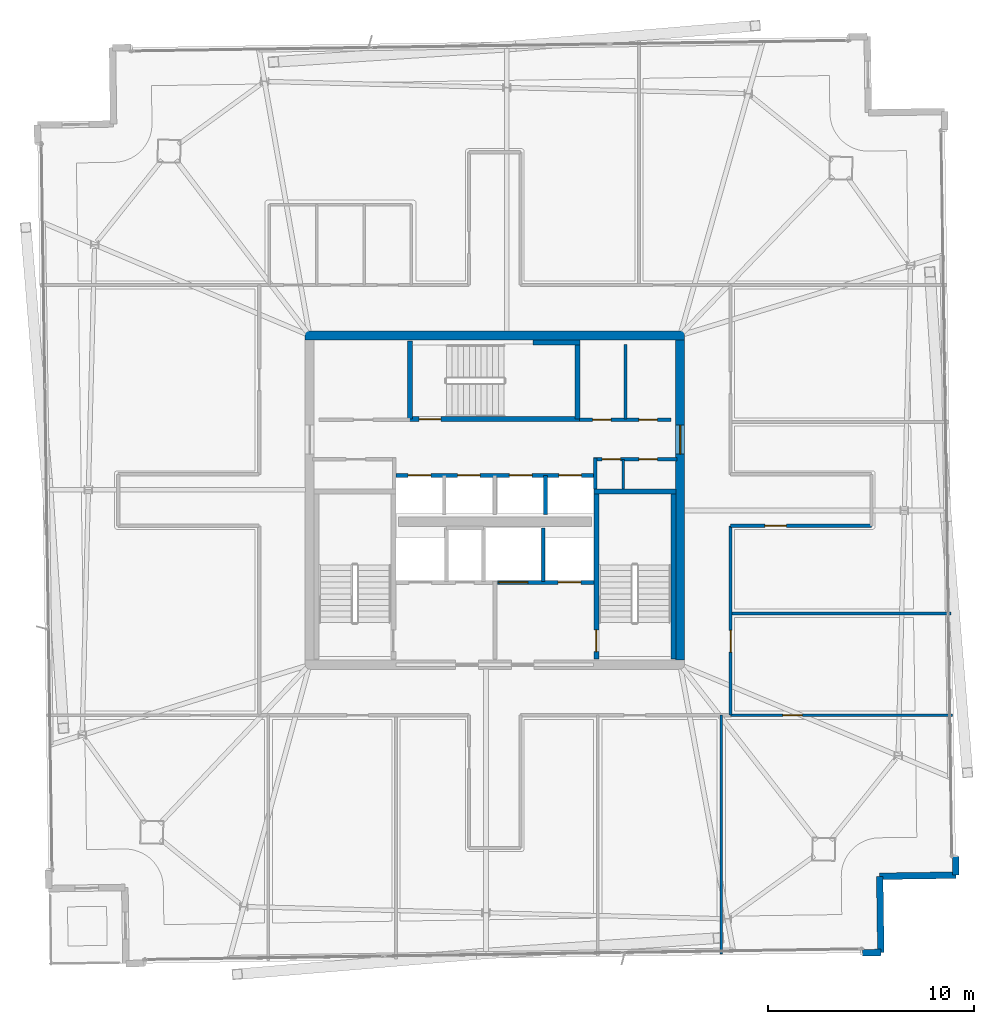
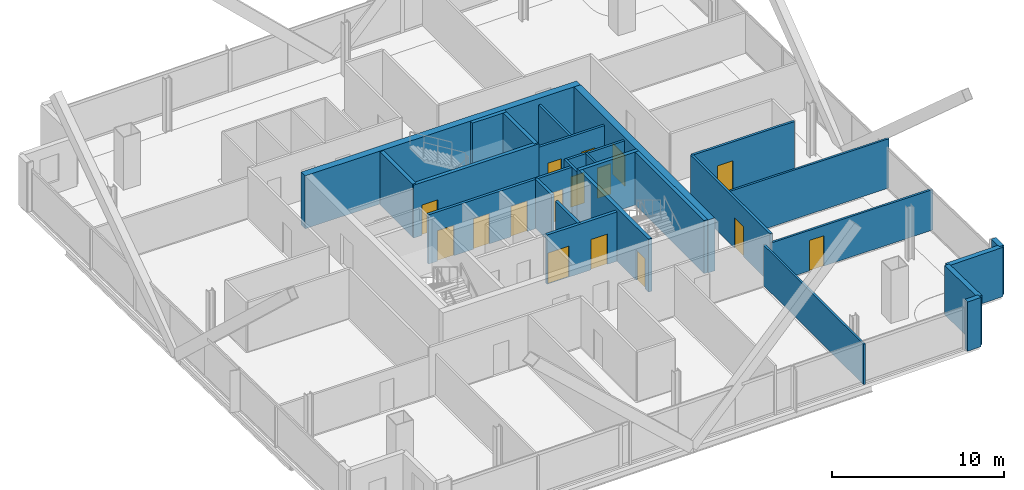
# One storey, part 21 of 25: 27 walls, 16 doors, 16 openings.
"""IFC4 building model written with IfcOpenShell, lengths in metres."""

from ifc_helpers import new_model, si_unit, direction, frame, frame_2d, origin, place, context, subcontext, project, spatial, rectangle, extrude, material, layer, layer_set, type_object, element, fill, save


model = new_model("IFC4")

# Units and contexts
model_context = context("Model", 3, precision=1e-05, world=origin(), true_north=direction((0.0, 1.0)))
body_context = subcontext(model_context, "Body", "Model", "MODEL_VIEW")
ifc_project = project(units=[si_unit("LENGTHUNIT", "METRE"), si_unit("AREAUNIT", "SQUARE_METRE"), si_unit("VOLUMEUNIT", "CUBIC_METRE"), si_unit("PLANEANGLEUNIT", "RADIAN"), si_unit("MASSUNIT", "GRAM", prefix="KILO")], contexts=[model_context])

# Site, building, storey
site_placement = place(None, origin())
site = spatial("IfcSite", under=ifc_project, at=site_placement, CompositionType="ELEMENT")
building_placement = place(site_placement, origin())
building = spatial("IfcBuilding", under=site, at=building_placement, Name="Haldenkirk Collegiate Tower", CompositionType="ELEMENT")
storey_placement = place(building_placement, frame((0.0, 0.0, 332.699951171875)))
storey = spatial("IfcBuildingStorey", under=building, at=storey_placement, Name="L84", CompositionType="ELEMENT", Elevation=332.699951171875)

# Wall
ifc_material_1 = material(Name="Concrete f'c 55 MPa", Category="concrete")
ifc_layer_1 = layer(ifc_material_1, 0.449951171875)
ifc_layer_set_1 = layer_set([ifc_layer_1], Name="Concrete f'c 55 MPa")
wall_type_1 = type_object("IfcWallType", Name="WL-CORE-450", PredefinedType="SHEAR", material=ifc_layer_set_1)
wall_1_placement = place(storey_placement, frame((26.77490234375, 34.0, 0.0), z_axis=(0.0, 0.0, 1.0), x_axis=(1.0, 0.0, 0.0)))
element("IfcWall", 1, at=wall_1_placement, inside=storey, type_object=wall_type_1, Name="L84 central core shear wall N", PredefinedType="SHEAR", context=body_context, shape_type="SweptSolid", body=[
    extrude(rectangle(XDim=18.4501953125, YDim=0.449951171875, at=frame_2d((9.22509765625, 0.0))), origin(), (0.0, 0.0, 1.0), 3.75),
])

# Wall, opening, door
wall_2_placement = place(storey_placement, frame((45.0, 18.22509765625, 0.0), z_axis=(0.0, 0.0, 1.0), x_axis=(0.0, 1.0, 0.0)))
wall_2 = element("IfcWall", 2, at=wall_2_placement, inside=storey, type_object=wall_type_1, Name="L84 central core shear wall E", PredefinedType="SHEAR", context=body_context, shape_type="SweptSolid", body=[
    extrude(rectangle(XDim=15.5498046875, YDim=0.449951171875, at=frame_2d((7.77490234375, 0.0))), origin(), (0.0, 0.0, 1.0), 3.75),
])
opening_1_placement = place(wall_2_placement, frame((10.014892578125, 0.0, 0.0)))
opening_1 = element("IfcOpeningElement", 3, at=opening_1_placement, cuts=wall_2, Name="Opening D-03", PredefinedType="OPENING", context=body_context, shape_type="SweptSolid", body=[
    extrude(rectangle(XDim=1.39990234375, YDim=2.199951171875, at=frame_2d((0.699951171875, 1.10009765625))), frame((0.0, 0.23486328125, 0.0), z_axis=(0.0, -1.0, 0.0), x_axis=(1.0, 0.0, 0.0)), (0.0, 0.0, 1.0), 0.469970703125),
])
ifc_material_2 = material(Name="Galvanized fire-rated hollow steel door", Category="steel")
ifc_layer_2 = layer(ifc_material_2, 0.06005859375)
ifc_layer_set_2 = layer_set([ifc_layer_2], Name="Galvanized fire-rated hollow steel door")
door_type_1 = type_object("IfcDoorType", Name="DR-LOBBY-FD90-1400", OperationType="NOTDEFINED", PredefinedType="DOOR", material=ifc_layer_set_2)
door_1_placement = place(opening_1_placement, origin())
door_1 = element("IfcDoor", 4, at=door_1_placement, inside=storey, type_object=door_type_1, Name="L84 east lift lobby portal", OperationType="DOUBLE_DOOR_SINGLE_SWING", OverallHeight=2.199951171875, OverallWidth=1.39990234375, PredefinedType="DOOR", context=body_context, shape_type="SweptSolid", body=[
    extrude(rectangle(XDim=1.39990234375, YDim=2.199951171875, at=frame_2d((0.699951171875, 1.10009765625))), frame((0.0, 0.02490234375, 0.0), z_axis=(0.0, -1.0, 0.0), x_axis=(1.0, 0.0, 0.0)), (0.0, 0.0, 1.0), 0.050048828125),
])
fill(opening_1, door_1)

# Walls
ifc_material_3 = material(Name="Precast concrete f'c 40 MPa", Category="concrete")
ifc_layer_3 = layer(ifc_material_3, 0.320068359375)
ifc_layer_set_3 = layer_set([ifc_layer_3], Name="Precast concrete f'c 40 MPa")
wall_type_2 = type_object("IfcWallType", Name="WL-EXT-TWR-320", PredefinedType="STANDARD", material=ifc_layer_set_3)
for number, where, z_axis, x_axis, name in (
    (5, (58.384521484375, 8.68017578125, 0.0), (0.0, 0.0, 1.0), (0.014648455264, -0.999892705623, 0.0), "L84 precast corner pier SR"),
    (6, (54.7529296875, 4.02587890625, 0.0), (0.0, 0.0, 1.0), (-0.999888695632, -0.01491966312, 0.0), "L84 precast corner pier WL"),
):
    element("IfcWall", number, at=place(storey_placement, frame(where, z_axis=z_axis, x_axis=x_axis)), inside=storey, type_object=wall_type_2, Name=name, PredefinedType="STANDARD", context=body_context, shape_type="SweptSolid", body=[
        extrude(rectangle(XDim=0.89990234375, YDim=0.320068359375, at=frame_2d((0.449951171875, 0.0))), origin(), (0.0, 0.0, 1.0), 3.489990234375),
    ])
for number, where, z_axis, x_axis, name in (
    (7, (54.6982421875, 7.725341796875, 0.0), (0.0, 0.0, 1.0), (0.014780936405, -0.999890755992, 0.0), "L84 bronze precast notch wall 11"),
    (8, (58.397705078125, 7.7802734375, 0.0), (0.0, 0.0, 1.0), (-0.999889778584, -0.014846908215, 0.0), "L84 bronze precast notch wall 12"),
):
    element("IfcWall", number, at=place(storey_placement, frame(where, z_axis=z_axis, x_axis=x_axis)), inside=storey, type_object=wall_type_2, Name=name, PredefinedType="STANDARD", context=body_context, shape_type="SweptSolid", body=[
        extrude(rectangle(XDim=3.699951171875, YDim=0.320068359375, at=frame_2d((1.85009765625, 0.0))), origin(), (0.0, 0.0, 1.0), 3.489990234375),
    ])

# Wall, openings, doors
ifc_material_4 = material(Name="Acoustic fire-rated gypsum partition", Category="concrete")
ifc_layer_4 = layer(ifc_material_4, 0.159912109375)
ifc_layer_set_4 = layer_set([ifc_layer_4], Name="Acoustic fire-rated gypsum partition")
wall_type_3 = type_object("IfcWallType", Name="WL-INT-CORR-160", PredefinedType="PARTITIONING", material=ifc_layer_set_4)
wall_3_placement = place(storey_placement, frame((40.800048828125, 27.97998046875, 0.0), z_axis=(0.0, 0.0, 1.0), x_axis=(1.0, 0.0, 0.0)))
wall_3 = element("IfcWall", 9, at=wall_3_placement, inside=storey, type_object=wall_type_3, Name="L84 interior partition IW-L84-VCSE-N", PredefinedType="PARTITIONING", context=body_context, shape_type="SweptSolid", body=[
    extrude(rectangle(XDim=4.050048828125, YDim=0.159912109375, at=frame_2d((2.02490234375, 0.0))), origin(), (0.0, 0.0, 1.0), 3.489990234375),
])
opening_2_placement = place(wall_3_placement, frame((0.407470703125, 0.0, 0.0)))
opening_2 = element("IfcOpeningElement", 10, at=opening_2_placement, cuts=wall_3, Name="Opening D-11", PredefinedType="OPENING", context=body_context, shape_type="SweptSolid", body=[
    extrude(rectangle(XDim=0.89990234375, YDim=2.14990234375, at=frame_2d((0.449951171875, 1.074951171875))), frame((0.0, 0.08984375, 0.0), z_axis=(0.0, -1.0, 0.0), x_axis=(1.0, 0.0, 0.0)), (0.0, 0.0, 1.0), 0.179931640625),
])
opening_3_placement = place(wall_3_placement, frame((2.199951171875, 0.0, 0.0)))
opening_3 = element("IfcOpeningElement", 11, at=opening_3_placement, cuts=wall_3, Name="Opening D-11", PredefinedType="OPENING", context=body_context, shape_type="SweptSolid", body=[
    extrude(rectangle(XDim=0.89990234375, YDim=2.14990234375, at=frame_2d((0.449951171875, 1.074951171875))), frame((0.0, 0.08984375, 0.0), z_axis=(0.0, -1.0, 0.0), x_axis=(1.0, 0.0, 0.0)), (0.0, 0.0, 1.0), 0.179931640625),
])
ifc_material_5 = material(Name="Solid-core architectural oak fire door", Category="wood")
ifc_layer_5 = layer(ifc_material_5, 0.06005859375)
ifc_layer_set_5 = layer_set([ifc_layer_5], Name="Solid-core architectural oak fire door")
door_type_2 = type_object("IfcDoorType", Name="DR-INT-FD60-900", OperationType="NOTDEFINED", PredefinedType="DOOR", material=ifc_layer_set_5)
door_2_placement = place(opening_2_placement, origin())
door_2 = element("IfcDoor", 12, at=door_2_placement, inside=storey, type_object=door_type_2, Name="L84 core copy room door", OperationType="SINGLE_SWING_LEFT", OverallHeight=2.14990234375, OverallWidth=0.89990234375, PredefinedType="DOOR", context=body_context, shape_type="SweptSolid", body=[
    extrude(rectangle(XDim=0.89990234375, YDim=2.14990234375, at=frame_2d((0.449951171875, 1.074951171875))), frame((0.0, 0.02490234375, 0.0), z_axis=(0.0, -1.0, 0.0), x_axis=(1.0, 0.0, 0.0)), (0.0, 0.0, 1.0), 0.050048828125),
])
fill(opening_2, door_2)
door_3_placement = place(opening_3_placement, origin())
door_3 = element("IfcDoor", 13, at=door_3_placement, inside=storey, type_object=door_type_2, Name="L84 core records store door", OperationType="SINGLE_SWING_RIGHT", OverallHeight=2.14990234375, OverallWidth=0.89990234375, PredefinedType="DOOR", context=body_context, shape_type="SweptSolid", body=[
    extrude(rectangle(XDim=0.89990234375, YDim=2.14990234375, at=frame_2d((0.449951171875, 1.074951171875))), frame((0.0, 0.02490234375, 0.0), z_axis=(0.0, -1.0, 0.0), x_axis=(1.0, 0.0, 0.0)), (0.0, 0.0, 1.0), 0.050048828125),
])
fill(opening_3, door_3)

# Wall
wall_4_placement = place(storey_placement, frame((40.8798828125, 26.5400390625, 0.0), z_axis=(0.0, 0.0, 1.0), x_axis=(0.0, 1.0, 0.0)))
element("IfcWall", 14, at=wall_4_placement, inside=storey, type_object=wall_type_3, Name="L84 interior partition IW-L84-VCSE-W", PredefinedType="PARTITIONING", context=body_context, shape_type="SweptSolid", body=[
    extrude(rectangle(XDim=1.510009765625, YDim=0.159912109375, at=frame_2d((0.7548828125, 0.0))), origin(), (0.0, 0.0, 1.0), 3.489990234375),
])

# Wall, openings, doors
wall_5_placement = place(storey_placement, frame((40.1201171875, 29.89990234375, 0.0), z_axis=(0.0, 0.0, 1.0), x_axis=(1.0, 0.0, 0.0)))
wall_5 = element("IfcWall", 15, at=wall_5_placement, inside=storey, type_object=wall_type_3, Name="L84 interior partition IW-L84-PMS", PredefinedType="PARTITIONING", context=body_context, shape_type="SweptSolid", body=[
    extrude(rectangle(XDim=4.429931640625, YDim=0.159912109375, at=frame_2d((2.21484375, 0.0))), origin(), (0.0, 0.0, 1.0), 3.489990234375),
])
opening_4_placement = place(wall_5_placement, frame((0.6298828125, 0.0, 0.0)))
opening_4 = element("IfcOpeningElement", 16, at=opening_4_placement, cuts=wall_5, Name="Opening D-11", PredefinedType="OPENING", context=body_context, shape_type="SweptSolid", body=[
    extrude(rectangle(XDim=0.89990234375, YDim=2.14990234375, at=frame_2d((0.449951171875, 1.074951171875))), frame((0.0, 0.08984375, 0.0), z_axis=(0.0, -1.0, 0.0), x_axis=(1.0, 0.0, 0.0)), (0.0, 0.0, 1.0), 0.179931640625),
])
opening_5_placement = place(wall_5_placement, frame((2.8798828125, 0.0, 0.0)))
opening_5 = element("IfcOpeningElement", 17, at=opening_5_placement, cuts=wall_5, Name="Opening D-11", PredefinedType="OPENING", context=body_context, shape_type="SweptSolid", body=[
    extrude(rectangle(XDim=0.89990234375, YDim=2.14990234375, at=frame_2d((0.449951171875, 1.074951171875))), frame((0.0, 0.08984375, 0.0), z_axis=(0.0, -1.0, 0.0), x_axis=(1.0, 0.0, 0.0)), (0.0, 0.0, 1.0), 0.179931640625),
])
door_4_placement = place(opening_4_placement, origin())
door_4 = element("IfcDoor", 18, at=door_4_placement, inside=storey, type_object=door_type_2, Name="L84 staff WC door", OperationType="SINGLE_SWING_RIGHT", OverallHeight=2.14990234375, OverallWidth=0.89990234375, PredefinedType="DOOR", context=body_context, shape_type="SweptSolid", body=[
    extrude(rectangle(XDim=0.89990234375, YDim=2.14990234375, at=frame_2d((0.449951171875, 1.074951171875))), frame((0.0, 0.02490234375, 0.0), z_axis=(0.0, -1.0, 0.0), x_axis=(1.0, 0.0, 0.0)), (0.0, 0.0, 1.0), 0.050048828125),
])
fill(opening_4, door_4)
door_5_placement = place(opening_5_placement, origin())
door_5 = element("IfcDoor", 19, at=door_5_placement, inside=storey, type_object=door_type_2, Name="L84 seminar alcove door", OperationType="SINGLE_SWING_LEFT", OverallHeight=2.14990234375, OverallWidth=0.89990234375, PredefinedType="DOOR", context=body_context, shape_type="SweptSolid", body=[
    extrude(rectangle(XDim=0.89990234375, YDim=2.14990234375, at=frame_2d((0.449951171875, 1.074951171875))), frame((0.0, 0.02490234375, 0.0), z_axis=(0.0, -1.0, 0.0), x_axis=(1.0, 0.0, 0.0)), (0.0, 0.0, 1.0), 0.050048828125),
])
fill(opening_5, door_5)

# Wall, opening, door
wall_6_placement = place(storey_placement, frame((47.449951171875, 15.550048828125, 0.0), z_axis=(0.0, 0.0, 1.0), x_axis=(0.0, 1.0, 0.0)))
wall_6 = element("IfcWall", 20, at=wall_6_placement, inside=storey, type_object=wall_type_3, Name="L84 interior partition IW-L84-CE1", PredefinedType="PARTITIONING", context=body_context, shape_type="SweptSolid", body=[
    extrude(rectangle(XDim=9.199951171875, YDim=0.159912109375, at=frame_2d((4.60009765625, 0.0))), origin(), (0.0, 0.0, 1.0), 3.489990234375),
])
opening_6_placement = place(wall_6_placement, frame((3.06689453125, 0.0, 0.0)))
opening_6 = element("IfcOpeningElement", 21, at=opening_6_placement, cuts=wall_6, Name="Opening D-09", PredefinedType="OPENING", context=body_context, shape_type="SweptSolid", body=[
    extrude(rectangle(XDim=1.050048828125, YDim=2.14990234375, at=frame_2d((0.52490234375, 1.074951171875))), frame((0.0, 0.08984375, 0.0), z_axis=(0.0, -1.0, 0.0), x_axis=(1.0, 0.0, 0.0)), (0.0, 0.0, 1.0), 0.179931640625),
])
ifc_layer_6 = layer(ifc_material_5, 0.06005859375)
ifc_layer_set_6 = layer_set([ifc_layer_6], Name="Solid-core architectural oak fire door")
door_type_3 = type_object("IfcDoorType", Name="DR-INT-FD60-1050", OperationType="NOTDEFINED", PredefinedType="DOOR", material=ifc_layer_set_6)
door_6_placement = place(opening_6_placement, origin())
door_6 = element("IfcDoor", 22, at=door_6_placement, inside=storey, type_object=door_type_3, Name="L84 Robotics Fabrication Lab 9 door", OperationType="SINGLE_SWING_LEFT", OverallHeight=2.14990234375, OverallWidth=1.050048828125, PredefinedType="DOOR", context=body_context, shape_type="SweptSolid", body=[
    extrude(rectangle(XDim=1.050048828125, YDim=2.14990234375, at=frame_2d((0.52490234375, 1.074951171875))), frame((0.0, 0.02490234375, 0.0), z_axis=(0.0, -1.0, 0.0), x_axis=(1.0, 0.0, 0.0)), (0.0, 0.0, 1.0), 0.050048828125),
])
fill(opening_6, door_6)

wall_7_placement = place(storey_placement, frame((47.449951171875, 24.75, 0.0), z_axis=(0.0, 0.0, 1.0), x_axis=(1.0, 0.0, 0.0)))
wall_7 = element("IfcWall", 23, at=wall_7_placement, inside=storey, type_object=wall_type_3, Name="L84 interior partition IW-L84-EPS", PredefinedType="PARTITIONING", context=body_context, shape_type="SweptSolid", body=[
    extrude(rectangle(XDim=6.85009765625, YDim=0.159912109375, at=frame_2d((3.425048828125, 0.0))), origin(), (0.0, 0.0, 1.0), 3.489990234375),
])
opening_7_placement = place(wall_7_placement, frame((1.6669921875, 0.0, 0.0)))
opening_7 = element("IfcOpeningElement", 24, at=opening_7_placement, cuts=wall_7, Name="Opening D-09", PredefinedType="OPENING", context=body_context, shape_type="SweptSolid", body=[
    extrude(rectangle(XDim=1.050048828125, YDim=2.14990234375, at=frame_2d((0.52490234375, 1.074951171875))), frame((0.0, 0.08984375, 0.0), z_axis=(0.0, -1.0, 0.0), x_axis=(1.0, 0.0, 0.0)), (0.0, 0.0, 1.0), 0.179931640625),
])
door_7_placement = place(opening_7_placement, origin())
door_7 = element("IfcDoor", 25, at=door_7_placement, inside=storey, type_object=door_type_3, Name="L84 Environmental Lab 10 door", OperationType="SINGLE_SWING_RIGHT", OverallHeight=2.14990234375, OverallWidth=1.050048828125, PredefinedType="DOOR", context=body_context, shape_type="SweptSolid", body=[
    extrude(rectangle(XDim=1.050048828125, YDim=2.14990234375, at=frame_2d((0.52490234375, 1.074951171875))), frame((0.0, 0.02490234375, 0.0), z_axis=(0.0, -1.0, 0.0), x_axis=(1.0, 0.0, 0.0)), (0.0, 0.0, 1.0), 0.050048828125),
])
fill(opening_7, door_7)

# Wall
ifc_layer_7 = layer(ifc_material_4, 0.139892578125)
ifc_layer_set_7 = layer_set([ifc_layer_7], Name="Acoustic fire-rated gypsum partition")
wall_type_4 = type_object("IfcWallType", Name="WL-INT-DIV-140", PredefinedType="PARTITIONING", material=ifc_layer_set_7)
wall_8_placement = place(storey_placement, frame((42.35009765625, 29.949951171875, 0.0), z_axis=(0.0, 0.0, 1.0), x_axis=(0.0, 1.0, 0.0)))
element("IfcWall", 26, at=wall_8_placement, inside=storey, type_object=wall_type_4, Name="L84 interior partition IW-L84-PMDIV", PredefinedType="PARTITIONING", context=body_context, shape_type="SweptSolid", body=[
    extrude(rectangle(XDim=3.60009765625, YDim=0.139892578125, at=frame_2d((1.800048828125, 0.0))), origin(), (0.0, 0.0, 1.0), 3.489990234375),
])

# Wall, opening, door
wall_9_placement = place(storey_placement, frame((47.449951171875, 15.550048828125, 0.0), z_axis=(0.0, 0.0, 1.0), x_axis=(1.0, 0.0, 0.0)))
wall_9 = element("IfcWall", 27, at=wall_9_placement, inside=storey, type_object=wall_type_4, Name="L84 interior partition IW-L84-BES", PredefinedType="PARTITIONING", context=body_context, shape_type="SweptSolid", body=[
    extrude(rectangle(XDim=10.79248046875, YDim=0.139892578125, at=frame_2d((5.396240234375, 0.0))), origin(), (0.0, 0.0, 1.0), 2.8681640625),
])
opening_8_placement = place(wall_9_placement, frame((2.541015625, 0.0, 0.0)))
opening_8 = element("IfcOpeningElement", 28, at=opening_8_placement, cuts=wall_9, Name="Opening D-12", PredefinedType="OPENING", context=body_context, shape_type="SweptSolid", body=[
    extrude(rectangle(XDim=0.949951171875, YDim=2.14990234375, at=frame_2d((0.47509765625, 1.074951171875))), frame((0.0, 0.079833984375, 0.0), z_axis=(0.0, -1.0, 0.0), x_axis=(1.0, 0.0, 0.0)), (0.0, 0.0, 1.0), 0.159912109375),
])
ifc_layer_8 = layer(ifc_material_5, 0.06005859375)
ifc_layer_set_8 = layer_set([ifc_layer_8], Name="Solid-core architectural oak fire door")
door_type_4 = type_object("IfcDoorType", Name="DR-INT-STD-950", OperationType="NOTDEFINED", PredefinedType="DOOR", material=ifc_layer_set_8)
door_8_placement = place(opening_8_placement, origin())
door_8 = element("IfcDoor", 29, at=door_8_placement, inside=storey, type_object=door_type_4, Name="L84 Optics Research Laboratory 5 door", OperationType="SINGLE_SWING_LEFT", OverallHeight=2.14990234375, OverallWidth=0.949951171875, PredefinedType="DOOR", context=body_context, shape_type="SweptSolid", body=[
    extrude(rectangle(XDim=0.949951171875, YDim=2.14990234375, at=frame_2d((0.47509765625, 1.074951171875))), frame((0.0, 0.02490234375, 0.0), z_axis=(0.0, -1.0, 0.0), x_axis=(1.0, 0.0, 0.0)), (0.0, 0.0, 1.0), 0.050048828125),
])
fill(opening_8, door_8)

# Walls
wall_10_placement = place(storey_placement, frame((47.0, 3.95068359375, 0.0), z_axis=(0.0, 0.0, 1.0), x_axis=(0.0, 1.0, 0.0)))
element("IfcWall", 30, at=wall_10_placement, inside=storey, type_object=wall_type_4, Name="L84 interior partition IW-L84-RS4", PredefinedType="PARTITIONING", context=body_context, shape_type="SweptSolid", body=[
    extrude(rectangle(XDim=11.599365234375, YDim=0.139892578125, at=frame_2d((5.7998046875, 0.0))), origin(), (0.0, 0.0, 1.0), 2.8681640625),
])
wall_11_placement = place(storey_placement, frame((47.449951171875, 20.5, 0.0), z_axis=(0.0, 0.0, 1.0), x_axis=(1.0, 0.0, 0.0)))
element("IfcWall", 31, at=wall_11_placement, inside=storey, type_object=wall_type_4, Name="L84 interior partition IW-L84-RE1", PredefinedType="PARTITIONING", context=body_context, shape_type="SweptSolid", body=[
    extrude(rectangle(XDim=10.71923828125, YDim=0.139892578125, at=frame_2d((5.359619140625, 0.0))), origin(), (0.0, 0.0, 1.0), 3.489990234375),
])
ifc_material_6 = material(Name="Fire-rated gypsum shaftboard assembly", Category="concrete")
ifc_layer_9 = layer(ifc_material_6, 0.179931640625)
ifc_layer_set_9 = layer_set([ifc_layer_9], Name="Fire-rated gypsum shaftboard assembly")
wall_type_5 = type_object("IfcWallType", Name="WL-INT-SHAFT-180", PredefinedType="PARTITIONING", material=ifc_layer_set_9)
wall_12_placement = place(storey_placement, frame((38.35009765625, 22.050048828125, 0.0), z_axis=(0.0, 0.0, 1.0), x_axis=(0.0, 1.0, 0.0)))
element("IfcWall", 32, at=wall_12_placement, inside=storey, type_object=wall_type_5, Name="L84 interior partition IW-L84-GL1E", PredefinedType="PARTITIONING", context=body_context, shape_type="SweptSolid", body=[
    extrude(rectangle(XDim=2.599853515625, YDim=0.179931640625, at=frame_2d((1.2998046875, 0.0))), origin(), (0.0, 0.0, 1.0), 3.489990234375),
])

# Wall, openings, doors
wall_13_placement = place(storey_placement, frame((31.199951171875, 27.199951171875, 0.0), z_axis=(0.0, 0.0, 1.0), x_axis=(1.0, 0.0, 0.0)))
wall_13 = element("IfcWall", 33, at=wall_13_placement, inside=storey, type_object=wall_type_5, Name="L84 interior partition IW-L84-PHN", PredefinedType="PARTITIONING", context=body_context, shape_type="SweptSolid", body=[
    extrude(rectangle(XDim=9.60009765625, YDim=0.179931640625, at=frame_2d((4.800048828125, 0.0))), origin(), (0.0, 0.0, 1.0), 3.489990234375),
])
opening_9_placement = place(wall_13_placement, frame((0.590087890625, 0.0, 0.0)))
opening_9 = element("IfcOpeningElement", 34, at=opening_9_placement, cuts=wall_13, Name="Opening LD-11", PredefinedType="OPENING", context=body_context, shape_type="SweptSolid", body=[
    extrude(rectangle(XDim=1.10009765625, YDim=2.14990234375, at=frame_2d((0.550048828125, 1.074951171875))), frame((0.0, 0.099853515625, 0.0), z_axis=(0.0, -1.0, 0.0), x_axis=(1.0, 0.0, 0.0)), (0.0, 0.0, 1.0), 0.199951171875),
])
opening_10_placement = place(wall_13_placement, frame((2.989990234375, 0.0, 0.0)))
opening_10 = element("IfcOpeningElement", 35, at=opening_10_placement, cuts=wall_13, Name="Opening LD-11", PredefinedType="OPENING", context=body_context, shape_type="SweptSolid", body=[
    extrude(rectangle(XDim=1.10009765625, YDim=2.14990234375, at=frame_2d((0.550048828125, 1.074951171875))), frame((0.0, 0.099853515625, 0.0), z_axis=(0.0, -1.0, 0.0), x_axis=(1.0, 0.0, 0.0)), (0.0, 0.0, 1.0), 0.199951171875),
])
opening_11_placement = place(wall_13_placement, frame((5.510009765625, 0.0, 0.0)))
opening_11 = element("IfcOpeningElement", 36, at=opening_11_placement, cuts=wall_13, Name="Opening LD-11", PredefinedType="OPENING", context=body_context, shape_type="SweptSolid", body=[
    extrude(rectangle(XDim=1.10009765625, YDim=2.14990234375, at=frame_2d((0.550048828125, 1.074951171875))), frame((0.0, 0.099853515625, 0.0), z_axis=(0.0, -1.0, 0.0), x_axis=(1.0, 0.0, 0.0)), (0.0, 0.0, 1.0), 0.199951171875),
])
opening_12_placement = place(wall_13_placement, frame((7.909912109375, 0.0, 0.0)))
opening_12 = element("IfcOpeningElement", 37, at=opening_12_placement, cuts=wall_13, Name="Opening LD-11", PredefinedType="OPENING", context=body_context, shape_type="SweptSolid", body=[
    extrude(rectangle(XDim=1.10009765625, YDim=2.14990234375, at=frame_2d((0.550048828125, 1.074951171875))), frame((0.0, 0.099853515625, 0.0), z_axis=(0.0, -1.0, 0.0), x_axis=(1.0, 0.0, 0.0)), (0.0, 0.0, 1.0), 0.199951171875),
])
ifc_material_7 = material(Name="Brushed architectural stainless steel", Category="steel")
ifc_layer_10 = layer(ifc_material_7, 0.06005859375)
ifc_layer_set_10 = layer_set([ifc_layer_10], Name="Brushed architectural stainless steel")
door_type_5 = type_object("IfcDoorType", Name="LD-PASS-1100", OperationType="NOTDEFINED", PredefinedType="DOOR", material=ifc_layer_set_10)
door_9_placement = place(opening_9_placement, origin())
door_9 = element("IfcDoor", 38, at=door_9_placement, inside=storey, type_object=door_type_5, Name="L84 Elevator PH1 sliding landing door", OperationType="SLIDING_TO_LEFT", OverallHeight=2.14990234375, OverallWidth=1.10009765625, PredefinedType="DOOR", context=body_context, shape_type="SweptSolid", body=[
    extrude(rectangle(XDim=1.10009765625, YDim=2.14990234375, at=frame_2d((0.550048828125, 1.074951171875))), frame((0.0, 0.02490234375, 0.0), z_axis=(0.0, -1.0, 0.0), x_axis=(1.0, 0.0, 0.0)), (0.0, 0.0, 1.0), 0.050048828125),
])
fill(opening_9, door_9)
door_10_placement = place(opening_10_placement, origin())
door_10 = element("IfcDoor", 39, at=door_10_placement, inside=storey, type_object=door_type_5, Name="L84 Elevator PH2 sliding landing door", OperationType="SLIDING_TO_LEFT", OverallHeight=2.14990234375, OverallWidth=1.10009765625, PredefinedType="DOOR", context=body_context, shape_type="SweptSolid", body=[
    extrude(rectangle(XDim=1.10009765625, YDim=2.14990234375, at=frame_2d((0.550048828125, 1.074951171875))), frame((0.0, 0.02490234375, 0.0), z_axis=(0.0, -1.0, 0.0), x_axis=(1.0, 0.0, 0.0)), (0.0, 0.0, 1.0), 0.050048828125),
])
fill(opening_10, door_10)
door_11_placement = place(opening_11_placement, origin())
door_11 = element("IfcDoor", 40, at=door_11_placement, inside=storey, type_object=door_type_5, Name="L84 Elevator PH3 sliding landing door", OperationType="SLIDING_TO_LEFT", OverallHeight=2.14990234375, OverallWidth=1.10009765625, PredefinedType="DOOR", context=body_context, shape_type="SweptSolid", body=[
    extrude(rectangle(XDim=1.10009765625, YDim=2.14990234375, at=frame_2d((0.550048828125, 1.074951171875))), frame((0.0, 0.02490234375, 0.0), z_axis=(0.0, -1.0, 0.0), x_axis=(1.0, 0.0, 0.0)), (0.0, 0.0, 1.0), 0.050048828125),
])
fill(opening_11, door_11)
door_12_placement = place(opening_12_placement, origin())
door_12 = element("IfcDoor", 41, at=door_12_placement, inside=storey, type_object=door_type_5, Name="L84 Elevator PH4 sliding landing door", OperationType="SLIDING_TO_LEFT", OverallHeight=2.14990234375, OverallWidth=1.10009765625, PredefinedType="DOOR", context=body_context, shape_type="SweptSolid", body=[
    extrude(rectangle(XDim=1.10009765625, YDim=2.14990234375, at=frame_2d((0.550048828125, 1.074951171875))), frame((0.0, 0.02490234375, 0.0), z_axis=(0.0, -1.0, 0.0), x_axis=(1.0, 0.0, 0.0)), (0.0, 0.0, 1.0), 0.050048828125),
])
fill(opening_12, door_12)

# Wall
wall_14_placement = place(storey_placement, frame((38.4599609375, 25.300048828125, 0.0), z_axis=(0.0, 0.0, 1.0), x_axis=(0.0, 1.0, 0.0)))
element("IfcWall", 42, at=wall_14_placement, inside=storey, type_object=wall_type_5, Name="L84 interior partition IW-L84-PHV3", PredefinedType="PARTITIONING", context=body_context, shape_type="SweptSolid", body=[
    extrude(rectangle(XDim=1.89990234375, YDim=0.179931640625, at=frame_2d((0.949951171875, 0.0))), origin(), (0.0, 0.0, 1.0), 3.489990234375),
])

# Wall, openings, doors
ifc_layer_11 = layer(ifc_material_6, 0.199951171875)
ifc_layer_set_11 = layer_set([ifc_layer_11], Name="Fire-rated gypsum shaftboard assembly")
wall_type_6 = type_object("IfcWallType", Name="WL-INT-SHAFT-200", PredefinedType="PARTITIONING", material=ifc_layer_set_11)
wall_15_placement = place(storey_placement, frame((36.1201171875, 22.0, 0.0), z_axis=(0.0, 0.0, 1.0), x_axis=(1.0, 0.0, 0.0)))
wall_15 = element("IfcWall", 43, at=wall_15_placement, inside=storey, type_object=wall_type_6, Name="L84 interior partition IW-L84-FFL2N", PredefinedType="PARTITIONING", context=body_context, shape_type="SweptSolid", body=[
    extrude(rectangle(XDim=4.68994140625, YDim=0.199951171875, at=frame_2d((2.344970703125, 0.0))), origin(), (0.0, 0.0, 1.0), 3.489990234375),
])
opening_13_placement = place(wall_15_placement, frame((2.955078125, 0.0, 0.0)))
opening_13 = element("IfcOpeningElement", 44, at=opening_13_placement, cuts=wall_15, Name="Opening LD-12", PredefinedType="OPENING", context=body_context, shape_type="SweptSolid", body=[
    extrude(rectangle(XDim=1.10009765625, YDim=2.14990234375, at=frame_2d((0.550048828125, 1.074951171875))), frame((0.0, 0.10986328125, 0.0), z_axis=(0.0, -1.0, 0.0), x_axis=(1.0, 0.0, 0.0)), (0.0, 0.0, 1.0), 0.219970703125),
])
opening_14_placement = place(wall_15_placement, frame((0.080078125, 0.0, 0.0)))
opening_14 = element("IfcOpeningElement", 45, at=opening_14_placement, cuts=wall_15, Name="Opening LD-13", PredefinedType="OPENING", context=body_context, shape_type="SweptSolid", body=[
    extrude(rectangle(XDim=1.39990234375, YDim=2.199951171875, at=frame_2d((0.699951171875, 1.10009765625))), frame((0.0, 0.10986328125, 0.0), z_axis=(0.0, -1.0, 0.0), x_axis=(1.0, 0.0, 0.0)), (0.0, 0.0, 1.0), 0.219970703125),
])
ifc_layer_12 = layer(ifc_material_7, 0.06005859375)
ifc_layer_set_12 = layer_set([ifc_layer_12], Name="Brushed architectural stainless steel")
door_type_6 = type_object("IfcDoorType", Name="LD-FIRE-1100", OperationType="NOTDEFINED", PredefinedType="DOOR", material=ifc_layer_set_12)
door_13_placement = place(opening_13_placement, origin())
door_13 = element("IfcDoor", 46, at=door_13_placement, inside=storey, type_object=door_type_6, Name="L84 Elevator FL2 sliding landing door", OperationType="SLIDING_TO_LEFT", OverallHeight=2.14990234375, OverallWidth=1.10009765625, PredefinedType="DOOR", context=body_context, shape_type="SweptSolid", body=[
    extrude(rectangle(XDim=1.10009765625, YDim=2.14990234375, at=frame_2d((0.550048828125, 1.074951171875))), frame((0.0, 0.02490234375, 0.0), z_axis=(0.0, -1.0, 0.0), x_axis=(1.0, 0.0, 0.0)), (0.0, 0.0, 1.0), 0.050048828125),
])
fill(opening_13, door_13)
ifc_layer_13 = layer(ifc_material_7, 0.06005859375)
ifc_layer_set_13 = layer_set([ifc_layer_13], Name="Brushed architectural stainless steel")
door_type_7 = type_object("IfcDoorType", Name="LD-GOODS-1400", OperationType="NOTDEFINED", PredefinedType="DOOR", material=ifc_layer_set_13)
door_14_placement = place(opening_14_placement, origin())
door_14 = element("IfcDoor", 47, at=door_14_placement, inside=storey, type_object=door_type_7, Name="L84 Elevator GL1 sliding landing door", OperationType="SLIDING_TO_LEFT", OverallHeight=2.199951171875, OverallWidth=1.39990234375, PredefinedType="DOOR", context=body_context, shape_type="SweptSolid", body=[
    extrude(rectangle(XDim=1.39990234375, YDim=2.199951171875, at=frame_2d((0.699951171875, 1.10009765625))), frame((0.0, 0.02490234375, 0.0), z_axis=(0.0, -1.0, 0.0), x_axis=(1.0, 0.0, 0.0)), (0.0, 0.0, 1.0), 0.050048828125),
])
fill(opening_14, door_14)

# Wall
ifc_layer_14 = layer(ifc_material_4, 0.1201171875)
ifc_layer_set_14 = layer_set([ifc_layer_14], Name="Acoustic fire-rated gypsum partition")
wall_type_7 = type_object("IfcWallType", Name="WL-INT-WET-120", PredefinedType="PARTITIONING", material=ifc_layer_set_14)
wall_16_placement = place(storey_placement, frame((42.25, 26.5400390625, 0.0), z_axis=(0.0, 0.0, 1.0), x_axis=(0.0, 1.0, 0.0)))
element("IfcWall", 48, at=wall_16_placement, inside=storey, type_object=wall_type_7, Name="L84 interior partition IW-L84-VCSE-M", PredefinedType="PARTITIONING", context=body_context, shape_type="SweptSolid", body=[
    extrude(rectangle(XDim=1.43994140625, YDim=0.1201171875, at=frame_2d((0.719970703125, 0.0))), origin(), (0.0, 0.0, 1.0), 3.489990234375),
])

# Wall, opening, door
ifc_layer_15 = layer(ifc_material_1, 0.239990234375)
ifc_layer_set_15 = layer_set([ifc_layer_15], Name="Concrete f'c 55 MPa")
wall_type_8 = type_object("IfcWallType", Name="WL-SHAFT-240", PredefinedType="SHEAR", material=ifc_layer_set_15)
wall_17_placement = place(storey_placement, frame((40.929931640625, 18.280029296875, 0.0), z_axis=(0.0, 0.0, 1.0), x_axis=(0.0, 1.0, 0.0)))
wall_17 = element("IfcWall", 49, at=wall_17_placement, inside=storey, type_object=wall_type_8, Name="L84 stair shaft shear wall SW-L84-ST2W", PredefinedType="SHEAR", context=body_context, shape_type="SweptSolid", body=[
    extrude(rectangle(XDim=8.260009765625, YDim=0.239990234375, at=frame_2d((4.1298828125, 0.0))), origin(), (0.0, 0.0, 1.0), 3.75),
])
opening_15_placement = place(wall_17_placement, frame((0.364990234375, 0.0, 0.0)))
opening_15 = element("IfcOpeningElement", 50, at=opening_15_placement, cuts=wall_17, Name="Opening D-01", PredefinedType="OPENING", context=body_context, shape_type="SweptSolid", body=[
    extrude(rectangle(XDim=1.050048828125, YDim=2.14990234375, at=frame_2d((0.52490234375, 1.074951171875))), frame((0.0, 0.1298828125, 0.0), z_axis=(0.0, -1.0, 0.0), x_axis=(1.0, 0.0, 0.0)), (0.0, 0.0, 1.0), 0.260009765625),
])
ifc_layer_16 = layer(ifc_material_2, 0.06005859375)
ifc_layer_set_16 = layer_set([ifc_layer_16], Name="Galvanized fire-rated hollow steel door")
door_type_8 = type_object("IfcDoorType", Name="DR-STAIR-FD90-1050", OperationType="NOTDEFINED", PredefinedType="DOOR", material=ifc_layer_set_16)
door_15_placement = place(opening_15_placement, origin())
door_15 = element("IfcDoor", 51, at=door_15_placement, inside=storey, type_object=door_type_8, Name="L84 Stair 2 door", OperationType="SINGLE_SWING_RIGHT", OverallHeight=2.14990234375, OverallWidth=1.050048828125, PredefinedType="DOOR", context=body_context, shape_type="SweptSolid", body=[
    extrude(rectangle(XDim=1.050048828125, YDim=2.14990234375, at=frame_2d((0.52490234375, 1.074951171875))), frame((0.0, 0.02490234375, 0.0), z_axis=(0.0, -1.0, 0.0), x_axis=(1.0, 0.0, 0.0)), (0.0, 0.0, 1.0), 0.050048828125),
])
fill(opening_15, door_15)

# Walls
wall_18_placement = place(storey_placement, frame((40.81005859375, 26.419921875, 0.0), z_axis=(0.0, 0.0, 1.0), x_axis=(1.0, 0.0, 0.0)))
element("IfcWall", 52, at=wall_18_placement, inside=storey, type_object=wall_type_8, Name="L84 stair shaft shear wall SW-L84-ST2N", PredefinedType="SHEAR", context=body_context, shape_type="SweptSolid", body=[
    extrude(rectangle(XDim=3.97998046875, YDim=0.239990234375, at=frame_2d((1.989990234375, 0.0))), origin(), (0.0, 0.0, 1.0), 3.75),
])
wall_19_placement = place(storey_placement, frame((44.669921875, 18.280029296875, 0.0), z_axis=(0.0, 0.0, 1.0), x_axis=(0.0, 1.0, 0.0)))
element("IfcWall", 53, at=wall_19_placement, inside=storey, type_object=wall_type_8, Name="L84 stair shaft shear wall SW-L84-ST2E", PredefinedType="SHEAR", context=body_context, shape_type="SweptSolid", body=[
    extrude(rectangle(XDim=8.260009765625, YDim=0.239990234375, at=frame_2d((4.1298828125, 0.0))), origin(), (0.0, 0.0, 1.0), 3.75),
])

# Wall, opening, door
wall_20_placement = place(storey_placement, frame((31.760009765625, 29.929931640625, 0.0), z_axis=(0.0, 0.0, 1.0), x_axis=(1.0, 0.0, 0.0)))
wall_20 = element("IfcWall", 54, at=wall_20_placement, inside=storey, type_object=wall_type_8, Name="L84 stair shaft shear wall SW-L84-ST3S", PredefinedType="SHEAR", context=body_context, shape_type="SweptSolid", body=[
    extrude(rectangle(XDim=8.3798828125, YDim=0.239990234375, at=frame_2d((4.18994140625, 0.0))), origin(), (0.0, 0.0, 1.0), 3.75),
])
opening_16_placement = place(wall_20_placement, frame((0.56494140625, 0.0, 0.0)))
opening_16 = element("IfcOpeningElement", 55, at=opening_16_placement, cuts=wall_20, Name="Opening D-01", PredefinedType="OPENING", context=body_context, shape_type="SweptSolid", body=[
    extrude(rectangle(XDim=1.050048828125, YDim=2.14990234375, at=frame_2d((0.52490234375, 1.074951171875))), frame((0.0, 0.1298828125, 0.0), z_axis=(0.0, -1.0, 0.0), x_axis=(1.0, 0.0, 0.0)), (0.0, 0.0, 1.0), 0.260009765625),
])
door_16_placement = place(opening_16_placement, origin())
door_16 = element("IfcDoor", 56, at=door_16_placement, inside=storey, type_object=door_type_8, Name="L84 lift lobby Stair 3 door", OperationType="SINGLE_SWING_RIGHT", OverallHeight=2.14990234375, OverallWidth=1.050048828125, PredefinedType="DOOR", context=body_context, shape_type="SweptSolid", body=[
    extrude(rectangle(XDim=1.050048828125, YDim=2.14990234375, at=frame_2d((0.52490234375, 1.074951171875))), frame((0.0, 0.02490234375, 0.0), z_axis=(0.0, -1.0, 0.0), x_axis=(1.0, 0.0, 0.0)), (0.0, 0.0, 1.0), 0.050048828125),
])
fill(opening_16, door_16)

# Walls
wall_21_placement = place(storey_placement, frame((31.8798828125, 29.929931640625, 0.0), z_axis=(0.0, 0.0, 1.0), x_axis=(0.0, 1.0, 0.0)))
element("IfcWall", 57, at=wall_21_placement, inside=storey, type_object=wall_type_8, Name="L84 stair shaft shear wall SW-L84-ST3W", PredefinedType="SHEAR", context=body_context, shape_type="SweptSolid", body=[
    extrude(rectangle(XDim=3.7900390625, YDim=0.239990234375, at=frame_2d((1.89501953125, 0.0))), origin(), (0.0, 0.0, 1.0), 3.75),
])
wall_22_placement = place(storey_placement, frame((40.02001953125, 29.929931640625, 0.0), z_axis=(0.0, 0.0, 1.0), x_axis=(0.0, 1.0, 0.0)))
element("IfcWall", 58, at=wall_22_placement, inside=storey, type_object=wall_type_8, Name="L84 stair shaft shear wall SW-L84-ST3E", PredefinedType="SHEAR", context=body_context, shape_type="SweptSolid", body=[
    extrude(rectangle(XDim=3.85009765625, YDim=0.239990234375, at=frame_2d((1.925048828125, 0.0))), origin(), (0.0, 0.0, 1.0), 3.75),
])
wall_23_placement = place(storey_placement, frame((37.85009765625, 33.659912109375, 0.0), z_axis=(0.0, 0.0, 1.0), x_axis=(1.0, 0.0, 0.0)))
element("IfcWall", 59, at=wall_23_placement, inside=storey, type_object=wall_type_8, Name="L84 stair shaft shear wall SW-L84-ST3N", PredefinedType="SHEAR", context=body_context, shape_type="SweptSolid", body=[
    extrude(rectangle(XDim=2.289794921875, YDim=0.239990234375, at=frame_2d((1.14501953125, 0.0))), origin(), (0.0, 0.0, 1.0), 3.75),
])

save(model, "model.ifc")
